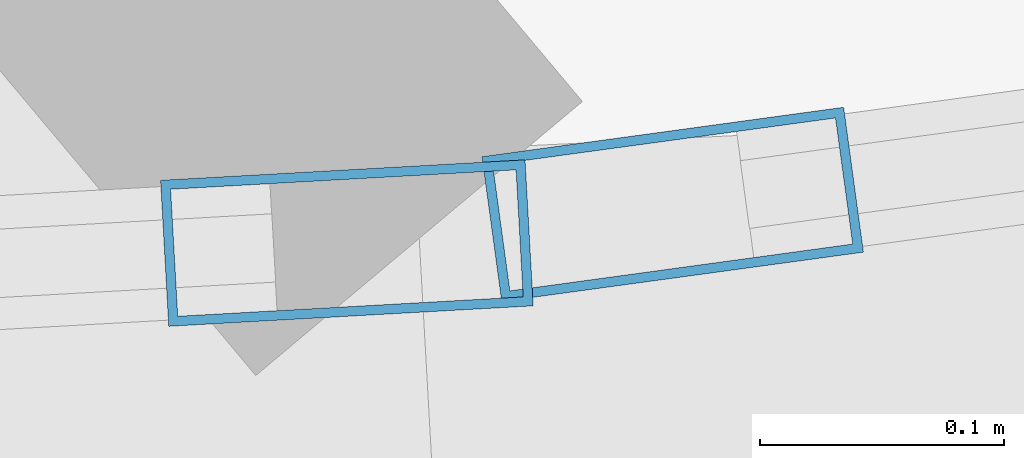
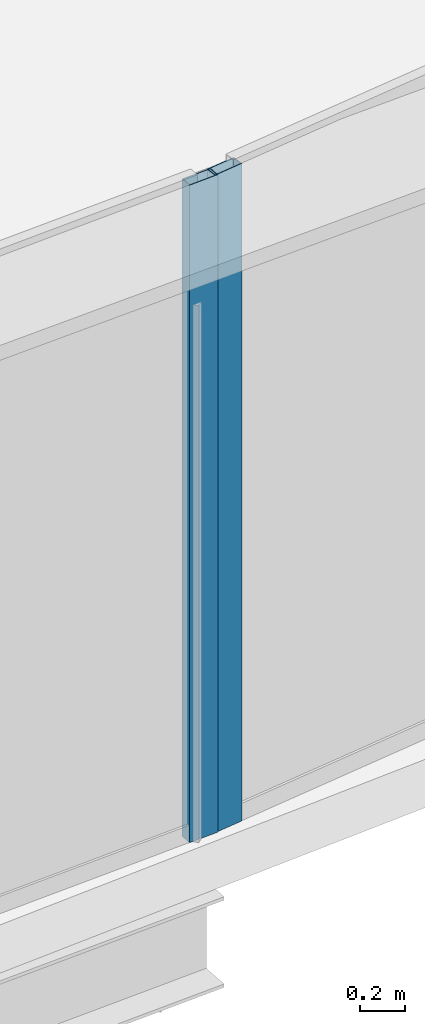
# One storey, part 14 of 37: 2 members, 2 elements without a shape of their own.
"""IFC4 building model written with IfcOpenShell, lengths in metres."""

from ifc_helpers import new_model, si_unit, direction, frame, origin, origin_2d, place, context, subcontext, project, spatial, hollow_rectangle, extrude, source, transform, mapped, material, layer, layer_set, material_profile, profile_set, type_object, element, aggregate, save


model = new_model("IFC4")

# Units and contexts
model_context = context("Model", 3, precision=1e-05, world=origin(), true_north=direction((0.0, 1.0)))
body_context = subcontext(model_context, "Body", "Model", "MODEL_VIEW")
ifc_project = project(units=[si_unit("LENGTHUNIT", "METRE"), si_unit("AREAUNIT", "SQUARE_METRE"), si_unit("VOLUMEUNIT", "CUBIC_METRE"), si_unit("PLANEANGLEUNIT", "RADIAN"), si_unit("MASSUNIT", "GRAM", prefix="KILO"), si_unit("THERMODYNAMICTEMPERATUREUNIT", "KELVIN"), si_unit("POWERUNIT", "WATT")], contexts=[model_context])

# Site, building, storey
site_placement = place(None, origin())
site = spatial("IfcSite", under=ifc_project, at=site_placement, CompositionType="ELEMENT")
building_placement = place(site_placement, origin())
building = spatial("IfcBuilding", under=site, at=building_placement, Name="Yunzhuo Pagoda Commons", CompositionType="ELEMENT")
storey_placement = place(building_placement, frame((0.0, 0.0, 196.159912109375)))
storey = spatial("IfcBuildingStorey", under=building, at=storey_placement, Name="L49", CompositionType="ELEMENT", Elevation=196.159912109375)

# Curtain wall, member
ifc_material = material(Name="Anodized aluminium 6063-T6", Category="aluminium")
ifc_layer = layer(ifc_material, 0.14990234375)
ifc_layer_set = layer_set([ifc_layer], Name="Anodized aluminium 6063-T6")
curtain_wall_type = type_object("IfcCurtainWallType", Name="CW-MID Mid-Zone Ribbon Curtain Wall", PredefinedType="NOTDEFINED", material=ifc_layer_set)
curtain_wall_1_placement = place(storey_placement, origin())
curtain_wall_1 = element("IfcCurtainWall", 1, at=curtain_wall_1_placement, inside=storey, type_object=curtain_wall_type, Name="L49 curtain wall CW-L49-F1B4", PredefinedType="NOTDEFINED")
ifc_material_profile = material_profile(ifc_material, hollow_rectangle(XDim=0.06005859375, YDim=0.14990234375, WallThickness=0.00390625, at=origin_2d()), Name="Anodized aluminium 6063-T6")
ifc_profile_set = profile_set([ifc_material_profile], Name="Anodized aluminium 6063-T6")
member_type = type_object("IfcMemberType", Name="CW-MID-M Mullion RHS 150x60x4", PredefinedType="MULLION", material=ifc_profile_set)
shared_shape = source(origin(), body_context, "Body", "SweptSolid", [
    extrude(hollow_rectangle(XDim=0.06005859375, YDim=0.14990234375, WallThickness=0.00390625, at=origin_2d()), origin(), (0.0, 0.0, 1.0), 3.5400390625),
])
member_1_placement = place(storey_placement, frame((63.804931640625, 14.827392578125, 0.0), z_axis=(0.0, 0.0, 1.0), x_axis=(-0.055982959182, 0.998431724396, 0.0)))
member_1 = element("IfcMember", 2, at=member_1_placement, type_object=member_type, Name="CW mullion 2", PredefinedType="MULLION", context=body_context, shape_type="MappedRepresentation", body=[
    mapped(shared_shape, transform((0.0, 0.0, 0.0), scale=1.0)),
])
aggregate(curtain_wall_1, [member_1])

curtain_wall_2_placement = place(storey_placement, origin())
curtain_wall_2 = element("IfcCurtainWall", 3, at=curtain_wall_2_placement, inside=storey, type_object=curtain_wall_type, Name="L49 curtain wall CW-L49-F1B5", PredefinedType="NOTDEFINED")
member_2_placement = place(storey_placement, frame((63.938720703125, 14.84326171875, 0.0), z_axis=(0.0, 0.0, 1.0), x_axis=(-0.135312015534, 0.990803037163, 0.0)))
member_2 = element("IfcMember", 4, at=member_2_placement, type_object=member_type, Name="CW mullion 1", PredefinedType="MULLION", context=body_context, shape_type="MappedRepresentation", body=[
    mapped(shared_shape, transform((0.0, 0.0, 0.0), scale=1.0)),
])
aggregate(curtain_wall_2, [member_2])

save(model, "model.ifc")
